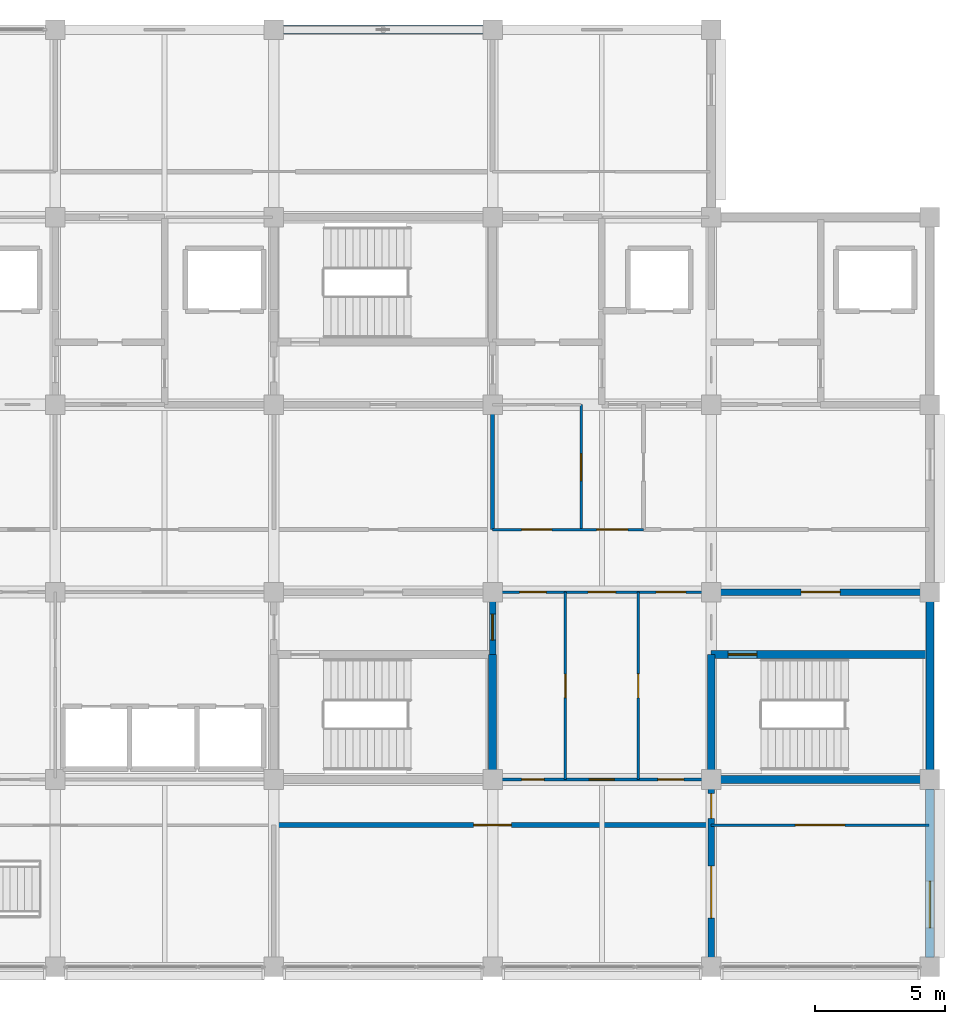
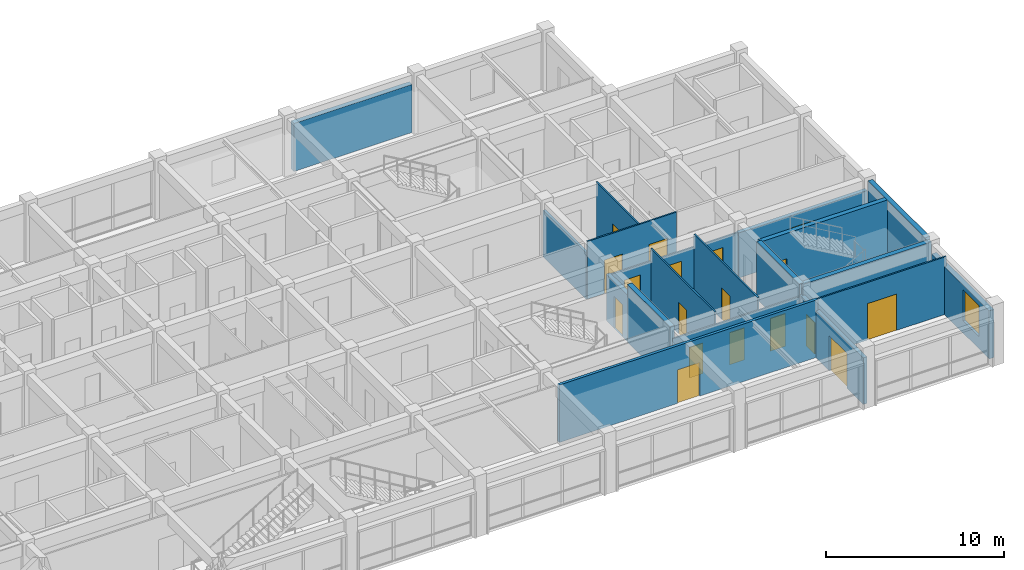
# One storey, part 21 of 27: 19 walls, 18 doors, 1 window, 19 openings.
"""IFC4 building model written with IfcOpenShell, lengths in metres."""

from ifc_helpers import new_model, si_unit, direction, frame, frame_2d, origin, place, context, subcontext, project, spatial, rectangle, extrude, material, layer, layer_set, type_object, element, fill, save


model = new_model("IFC4")

# Units and contexts
model_context = context("Model", 3, precision=1e-05, world=origin(), true_north=direction((0.0, 1.0)))
body_context = subcontext(model_context, "Body", "Model", "MODEL_VIEW")
ifc_project = project(units=[si_unit("LENGTHUNIT", "METRE"), si_unit("AREAUNIT", "SQUARE_METRE"), si_unit("VOLUMEUNIT", "CUBIC_METRE"), si_unit("PLANEANGLEUNIT", "RADIAN"), si_unit("MASSUNIT", "GRAM", prefix="KILO")], contexts=[model_context])

# Site, building, storey
site_placement = place(None, origin())
site = spatial("IfcSite", under=ifc_project, at=site_placement, CompositionType="ELEMENT")
building_placement = place(site_placement, origin())
building = spatial("IfcBuilding", under=site, at=building_placement, Name="Chengyuan Square Courthouse", CompositionType="ELEMENT")
storey_placement = place(building_placement, frame((0.0, 0.0, 39.300048828125)))
storey = spatial("IfcBuildingStorey", under=building, at=storey_placement, Name="L09", CompositionType="ELEMENT", Elevation=39.300048828125)

# Wall
ifc_material_1 = material(Name="Concrete C40", Category="concrete")
ifc_layer_1 = layer(ifc_material_1, 0.320068359375)
ifc_layer_set_1 = layer_set([ifc_layer_1], Name="Concrete C40")
wall_type_1 = type_object("IfcWallType", Name="WL-EW3", PredefinedType="STANDARD", material=ifc_layer_set_1)
wall_1_placement = place(storey_placement, frame((101.169921875, 115.199951171875, 0.0), z_axis=(0.0, 0.0, 1.0), x_axis=(1.0, 0.0, 0.0)))
element("IfcWall", 1, at=wall_1_placement, inside=storey, type_object=wall_type_1, Name="Exterior Wall WL-L09-E421", PredefinedType="STANDARD", context=body_context, shape_type="SweptSolid", body=[
    extrude(rectangle(XDim=7.66015625, YDim=0.320068359375, at=frame_2d((3.830078125, 0.0))), origin(), (0.0, 0.0, 1.0), 3.300048828125),
])

# Wall, opening, window
wall_2_placement = place(storey_placement, frame((126.0, 79.570068359375, 0.0), z_axis=(0.0, 0.0, 1.0), x_axis=(0.0, 1.0, 0.0)))
wall_2 = element("IfcWall", 2, at=wall_2_placement, inside=storey, type_object=wall_type_1, Name="Exterior Wall WL-L09-E424", PredefinedType="STANDARD", context=body_context, shape_type="SweptSolid", body=[
    extrude(rectangle(XDim=6.4599609375, YDim=0.320068359375, at=frame_2d((3.22998046875, 0.0))), origin(), (0.0, 0.0, 1.0), 3.300048828125),
])
opening_1_placement = place(wall_2_placement, frame((1.1298828125, 0.0, 0.85009765625)))
opening_1 = element("IfcOpeningElement", 3, at=opening_1_placement, cuts=wall_2, Name="Opening WN-167", PredefinedType="OPENING", context=body_context, shape_type="SweptSolid", body=[
    extrude(rectangle(XDim=1.800048828125, YDim=2.1201171875, at=frame_2d((0.89990234375, 1.06005859375))), frame((0.0, 0.172119140625, 0.0), z_axis=(0.0, -1.0, 0.0), x_axis=(1.0, 0.0, 0.0)), (0.0, 0.0, 1.0), 0.343994140625),
])
ifc_material_2 = material(Name="Thermally Broken Aluminium Triple Low-E Window", Category="aluminium")
window_type = type_object("IfcWindowType", Name="WT-36", PartitioningType="SINGLE_PANEL", PredefinedType="WINDOW", material=ifc_material_2)
window_placement = place(opening_1_placement, origin())
window = element("IfcWindow", 4, at=window_placement, inside=storey, type_object=window_type, Name="Facade Window WN-167", OverallHeight=2.1201171875, OverallWidth=1.800048828125, PartitioningType="SINGLE_PANEL", PredefinedType="WINDOW", context=body_context, shape_type="SweptSolid", body=[
    extrude(rectangle(XDim=1.800048828125, YDim=2.1201171875, at=frame_2d((0.89990234375, 1.06005859375))), frame((0.0, 0.030029296875, 0.0), z_axis=(0.0, -1.0, 0.0), x_axis=(1.0, 0.0, 0.0)), (0.0, 0.0, 1.0), 0.06005859375),
])
fill(opening_1, window)

# Wall, opening, door
ifc_layer_2 = layer(ifc_material_1, 0.25)
ifc_layer_set_2 = layer_set([ifc_layer_2], Name="Concrete C40")
wall_type_2 = type_object("IfcWallType", Name="WL-FW1", PredefinedType="STANDARD", material=ifc_layer_set_2)
wall_3_placement = place(storey_placement, frame((117.60009765625, 93.60009765625, 0.0), z_axis=(0.0, 0.0, 1.0), x_axis=(1.0, 0.0, 0.0)))
wall_3 = element("IfcWall", 5, at=wall_3_placement, inside=storey, type_object=wall_type_2, Name="Interior Wall WL-L09-I3118", PredefinedType="STANDARD", context=body_context, shape_type="SweptSolid", body=[
    extrude(rectangle(XDim=8.35986328125, YDim=0.25, at=frame_2d((4.179931640625, 0.0))), origin(), (0.0, 0.0, 1.0), 3.099853515625),
])
opening_2_placement = place(wall_3_placement, frame((3.449951171875, 0.0, 0.0)))
opening_2 = element("IfcOpeningElement", 6, at=opening_2_placement, cuts=wall_3, Name="Opening DR-2653", PredefinedType="OPENING", context=body_context, shape_type="SweptSolid", body=[
    extrude(rectangle(XDim=1.5, YDim=2.25, at=frame_2d((0.75, 1.125))), frame((0.0, 0.136962890625, 0.0), z_axis=(0.0, -1.0, 0.0), x_axis=(1.0, 0.0, 0.0)), (0.0, 0.0, 1.0), 0.27392578125),
])
ifc_material_3 = material(Name="Steel Q235B Glazed Fire Door", Category="steel")
door_type_1 = type_object("IfcDoorType", Name="DT-19", OperationType="DOUBLE_DOOR_SINGLE_SWING", PredefinedType="DOOR", material=ifc_material_3)
door_1_placement = place(opening_2_placement, frame((1.5, 0.0, 0.0), z_axis=(0.0, 0.0, 1.0), x_axis=(-1.0, 0.0, 0.0)))
door_1 = element("IfcDoor", 7, at=door_1_placement, inside=storey, type_object=door_type_1, Name="Interior Door DR-2653", OperationType="DOUBLE_DOOR_SINGLE_SWING", OverallHeight=2.25, OverallWidth=1.5, PredefinedType="DOOR", context=body_context, shape_type="SweptSolid", body=[
    extrude(rectangle(XDim=1.5, YDim=2.25, at=frame_2d((0.75, 1.125))), frame((0.0, 0.02490234375, 0.0), z_axis=(0.0, -1.0, 0.0), x_axis=(1.0, 0.0, 0.0)), (0.0, 0.0, 1.0), 0.050048828125),
])
fill(opening_2, door_1)

wall_4_placement = place(storey_placement, frame((109.199951171875, 91.199951171875, 0.0), z_axis=(0.0, 0.0, 1.0), x_axis=(0.0, 1.0, 0.0)))
wall_4 = element("IfcWall", 8, at=wall_4_placement, inside=storey, type_object=wall_type_2, Name="Interior Wall WL-L09-I3274", PredefinedType="STANDARD", context=body_context, shape_type="SweptSolid", body=[
    extrude(rectangle(XDim=2.400146484375, YDim=0.25, at=frame_2d((1.2001953125, 0.0))), origin(), (0.0, 0.0, 1.0), 3.199951171875),
])
opening_3_placement = place(wall_4_placement, frame((0.552490234375, 0.0, 0.0)))
opening_3 = element("IfcOpeningElement", 9, at=opening_3_placement, cuts=wall_4, Name="Opening DR-2650", PredefinedType="OPENING", context=body_context, shape_type="SweptSolid", body=[
    extrude(rectangle(XDim=1.0, YDim=2.199951171875, at=frame_2d((0.5, 1.10009765625))), frame((0.0, 0.136962890625, 0.0), z_axis=(0.0, -1.0, 0.0), x_axis=(1.0, 0.0, 0.0)), (0.0, 0.0, 1.0), 0.27392578125),
])
ifc_material_4 = material(Name="Steel Q235B Fire Door", Category="steel")
door_type_2 = type_object("IfcDoorType", Name="DT-11", OperationType="NOTDEFINED", PredefinedType="DOOR", material=ifc_material_4)
door_2_placement = place(opening_3_placement, origin())
door_2 = element("IfcDoor", 10, at=door_2_placement, inside=storey, type_object=door_type_2, Name="Interior Door DR-2650", OperationType="SINGLE_SWING_LEFT", OverallHeight=2.199951171875, OverallWidth=1.0, PredefinedType="DOOR", context=body_context, shape_type="SweptSolid", body=[
    extrude(rectangle(XDim=1.0, YDim=2.199951171875, at=frame_2d((0.5, 1.10009765625))), frame((0.0, 0.02490234375, 0.0), z_axis=(0.0, -1.0, 0.0), x_axis=(1.0, 0.0, 0.0)), (0.0, 0.0, 1.0), 0.050048828125),
])
fill(opening_3, door_2)

# Wall, openings, doors
wall_5_placement = place(storey_placement, frame((117.60009765625, 79.239990234375, 0.0), z_axis=(0.0, 0.0, 1.0), x_axis=(0.0, 1.0, 0.0)))
wall_5 = element("IfcWall", 11, at=wall_5_placement, inside=storey, type_object=wall_type_2, Name="Interior Wall WL-L09-I3287", PredefinedType="STANDARD", context=body_context, shape_type="SweptSolid", body=[
    extrude(rectangle(XDim=7.159912109375, YDim=0.25, at=frame_2d((3.580078125, 0.0))), origin(), (0.0, 0.0, 1.0), 3.199951171875),
])
opening_4_placement = place(wall_5_placement, frame((5.66259765625, 0.0, 0.0)))
opening_4 = element("IfcOpeningElement", 12, at=opening_4_placement, cuts=wall_5, Name="Opening DR-2765", PredefinedType="OPENING", context=body_context, shape_type="SweptSolid", body=[
    extrude(rectangle(XDim=0.949951171875, YDim=2.14990234375, at=frame_2d((0.47509765625, 1.074951171875))), frame((0.0, 0.136962890625, 0.0), z_axis=(0.0, -1.0, 0.0), x_axis=(1.0, 0.0, 0.0)), (0.0, 0.0, 1.0), 0.27392578125),
])
opening_5_placement = place(wall_5_placement, frame((1.83251953125, 0.0, 0.0)))
opening_5 = element("IfcOpeningElement", 13, at=opening_5_placement, cuts=wall_5, Name="Opening DR-2770", PredefinedType="OPENING", context=body_context, shape_type="SweptSolid", body=[
    extrude(rectangle(XDim=2.0, YDim=2.39990234375, at=frame_2d((1.0, 1.199951171875))), frame((0.0, 0.136962890625, 0.0), z_axis=(0.0, -1.0, 0.0), x_axis=(1.0, 0.0, 0.0)), (0.0, 0.0, 1.0), 0.27392578125),
])
door_type_3 = type_object("IfcDoorType", Name="DT-12", OperationType="NOTDEFINED", PredefinedType="DOOR", material=ifc_material_4)
door_3_placement = place(opening_4_placement, origin())
door_3 = element("IfcDoor", 14, at=door_3_placement, inside=storey, type_object=door_type_3, Name="Interior Door DR-2765", OperationType="SINGLE_SWING_RIGHT", OverallHeight=2.14990234375, OverallWidth=0.949951171875, PredefinedType="DOOR", context=body_context, shape_type="SweptSolid", body=[
    extrude(rectangle(XDim=0.949951171875, YDim=2.14990234375, at=frame_2d((0.47509765625, 1.074951171875))), frame((0.0, 0.02490234375, 0.0), z_axis=(0.0, -1.0, 0.0), x_axis=(1.0, 0.0, 0.0)), (0.0, 0.0, 1.0), 0.050048828125),
])
fill(opening_4, door_3)
door_type_4 = type_object("IfcDoorType", Name="DT-20", OperationType="DOUBLE_DOOR_SINGLE_SWING", PredefinedType="DOOR", material=ifc_material_3)
door_4_placement = place(opening_5_placement, frame((2.0, 0.0, 0.0), z_axis=(0.0, 0.0, 1.0), x_axis=(-1.0, 0.0, 0.0)))
door_4 = element("IfcDoor", 15, at=door_4_placement, inside=storey, type_object=door_type_4, Name="Interior Door DR-2770", OperationType="DOUBLE_DOOR_SINGLE_SWING", OverallHeight=2.39990234375, OverallWidth=2.0, PredefinedType="DOOR", context=body_context, shape_type="SweptSolid", body=[
    extrude(rectangle(XDim=2.0, YDim=2.39990234375, at=frame_2d((1.0, 1.199951171875))), frame((0.0, 0.02490234375, 0.0), z_axis=(0.0, -1.0, 0.0), x_axis=(1.0, 0.0, 0.0)), (0.0, 0.0, 1.0), 0.050048828125),
])
fill(opening_5, door_4)

# Wall, opening, door
ifc_material_5 = material(Name="Double-Stud Acoustic Gypsum Courtroom Partition")
ifc_layer_3 = layer(ifc_material_5, 0.179931640625)
ifc_layer_set_3 = layer_set([ifc_layer_3], Name="Double-Stud Acoustic Gypsum Courtroom Partition")
wall_type_3 = type_object("IfcWallType", Name="WL-PT1", PredefinedType="STANDARD", material=ifc_layer_set_3)
wall_6_placement = place(storey_placement, frame((100.800048828125, 84.64990234375, 0.0), z_axis=(0.0, 0.0, 1.0), x_axis=(1.0, 0.0, 0.0)))
wall_6 = element("IfcWall", 16, at=wall_6_placement, inside=storey, type_object=wall_type_3, Name="Interior Wall WL-L09-I3087", PredefinedType="STANDARD", context=body_context, shape_type="SweptSolid", body=[
    extrude(rectangle(XDim=16.800048828125, YDim=0.179931640625, at=frame_2d((8.39990234375, 0.0))), origin(), (0.0, 0.0, 1.0), 3.949951171875),
])
opening_6_placement = place(wall_6_placement, frame((7.675048828125, 0.0, 0.0)))
opening_6 = element("IfcOpeningElement", 17, at=opening_6_placement, cuts=wall_6, Name="Opening DR-2767", PredefinedType="OPENING", context=body_context, shape_type="SweptSolid", body=[
    extrude(rectangle(XDim=1.449951171875, YDim=2.300048828125, at=frame_2d((0.72509765625, 1.14990234375))), frame((0.0, 0.10205078125, 0.0), z_axis=(0.0, -1.0, 0.0), x_axis=(1.0, 0.0, 0.0)), (0.0, 0.0, 1.0), 0.203857421875),
])
ifc_material_6 = material(Name="Acoustic Larch Veneer Double Door")
door_type_5 = type_object("IfcDoorType", Name="DT-25", OperationType="DOUBLE_DOOR_SINGLE_SWING", PredefinedType="DOOR", material=ifc_material_6)
door_5_placement = place(opening_6_placement, frame((1.449951171875, 0.0, 0.0), z_axis=(0.0, 0.0, 1.0), x_axis=(-1.0, 0.0, 0.0)))
door_5 = element("IfcDoor", 18, at=door_5_placement, inside=storey, type_object=door_type_5, Name="Interior Door DR-2767", OperationType="DOUBLE_DOOR_SINGLE_SWING", OverallHeight=2.300048828125, OverallWidth=1.449951171875, PredefinedType="DOOR", context=body_context, shape_type="SweptSolid", body=[
    extrude(rectangle(XDim=1.449951171875, YDim=2.300048828125, at=frame_2d((0.72509765625, 1.14990234375))), frame((0.0, 0.02490234375, 0.0), z_axis=(0.0, -1.0, 0.0), x_axis=(1.0, 0.0, 0.0)), (0.0, 0.0, 1.0), 0.050048828125),
])
fill(opening_6, door_5)

# Wall
ifc_material_7 = material(Name="Deliberation Room Sound-Insulated Partition")
ifc_layer_4 = layer(ifc_material_7, 0.14990234375)
ifc_layer_set_4 = layer_set([ifc_layer_4], Name="Deliberation Room Sound-Insulated Partition")
wall_type_4 = type_object("IfcWallType", Name="WL-PT3", PredefinedType="STANDARD", material=ifc_layer_set_4)
wall_7_placement = place(storey_placement, frame((109.199951171875, 96.0, 0.0), z_axis=(0.0, 0.0, 1.0), x_axis=(0.0, 1.0, 0.0)))
element("IfcWall", 19, at=wall_7_placement, inside=storey, type_object=wall_type_4, Name="Interior Wall WL-L09-I3275", PredefinedType="STANDARD", context=body_context, shape_type="SweptSolid", body=[
    extrude(rectangle(XDim=4.800048828125, YDim=0.14990234375, at=frame_2d((2.39990234375, 0.0))), origin(), (0.0, 0.0, 1.0), 3.199951171875),
])

# Wall, opening, door
ifc_material_8 = material(Name="Gypsum Plasterboard Acoustic Stud Partition")
ifc_layer_5 = layer(ifc_material_8, 0.10009765625)
ifc_layer_set_5 = layer_set([ifc_layer_5], Name="Gypsum Plasterboard Acoustic Stud Partition")
wall_type_5 = type_object("IfcWallType", Name="WL-PT6", PredefinedType="STANDARD", material=ifc_layer_set_5)
wall_8_placement = place(storey_placement, frame((117.60009765625, 84.64990234375, 0.0), z_axis=(0.0, 0.0, 1.0), x_axis=(1.0, 0.0, 0.0)))
wall_8 = element("IfcWall", 20, at=wall_8_placement, inside=storey, type_object=wall_type_5, Name="Interior Wall WL-L09-I3088", PredefinedType="STANDARD", context=body_context, shape_type="SweptSolid", body=[
    extrude(rectangle(XDim=8.35986328125, YDim=0.10009765625, at=frame_2d((4.179931640625, 0.0))), origin(), (0.0, 0.0, 1.0), 3.949951171875),
])
opening_7_placement = place(wall_8_placement, frame((3.22998046875, 0.0, 0.0)))
opening_7 = element("IfcOpeningElement", 21, at=opening_7_placement, cuts=wall_8, Name="Opening DR-2768", PredefinedType="OPENING", context=body_context, shape_type="SweptSolid", body=[
    extrude(rectangle(XDim=1.89990234375, YDim=2.5, at=frame_2d((0.949951171875, 1.25))), frame((0.0, 0.06201171875, 0.0), z_axis=(0.0, -1.0, 0.0), x_axis=(1.0, 0.0, 0.0)), (0.0, 0.0, 1.0), 0.1240234375),
])
door_type_6 = type_object("IfcDoorType", Name="DT-26", OperationType="DOUBLE_DOOR_SINGLE_SWING", PredefinedType="DOOR", material=ifc_material_6)
door_6_placement = place(opening_7_placement, frame((1.89990234375, 0.0, 0.0), z_axis=(0.0, 0.0, 1.0), x_axis=(-1.0, 0.0, 0.0)))
door_6 = element("IfcDoor", 22, at=door_6_placement, inside=storey, type_object=door_type_6, Name="Interior Door DR-2768", OperationType="DOUBLE_DOOR_SINGLE_SWING", OverallHeight=2.5, OverallWidth=1.89990234375, PredefinedType="DOOR", context=body_context, shape_type="SweptSolid", body=[
    extrude(rectangle(XDim=1.89990234375, YDim=2.5, at=frame_2d((0.949951171875, 1.25))), frame((0.0, 0.02490234375, 0.0), z_axis=(0.0, -1.0, 0.0), x_axis=(1.0, 0.0, 0.0)), (0.0, 0.0, 1.0), 0.050048828125),
])
fill(opening_7, door_6)

# Wall, openings, doors
wall_9_placement = place(storey_placement, frame((109.199951171875, 86.39990234375, 0.0), z_axis=(0.0, 0.0, 1.0), x_axis=(1.0, 0.0, 0.0)))
wall_9 = element("IfcWall", 23, at=wall_9_placement, inside=storey, type_object=wall_type_5, Name="Interior Wall WL-L09-I3097", PredefinedType="STANDARD", context=body_context, shape_type="SweptSolid", body=[
    extrude(rectangle(XDim=8.400146484375, YDim=0.10009765625, at=frame_2d((4.2001953125, 0.0))), origin(), (0.0, 0.0, 1.0), 3.099853515625),
])
opening_8_placement = place(wall_9_placement, frame((1.117431640625, 0.0, 0.0)))
opening_8 = element("IfcOpeningElement", 24, at=opening_8_placement, cuts=wall_9, Name="Opening DR-2746", PredefinedType="OPENING", context=body_context, shape_type="SweptSolid", body=[
    extrude(rectangle(XDim=0.860107421875, YDim=2.10009765625, at=frame_2d((0.43017578125, 1.050048828125))), frame((0.0, 0.06201171875, 0.0), z_axis=(0.0, -1.0, 0.0), x_axis=(1.0, 0.0, 0.0)), (0.0, 0.0, 1.0), 0.1240234375),
])
opening_9_placement = place(wall_9_placement, frame((3.719970703125, 0.0, 0.0)))
opening_9 = element("IfcOpeningElement", 25, at=opening_9_placement, cuts=wall_9, Name="Opening DR-2748", PredefinedType="OPENING", context=body_context, shape_type="SweptSolid", body=[
    extrude(rectangle(XDim=0.9599609375, YDim=2.199951171875, at=frame_2d((0.47998046875, 1.10009765625))), frame((0.0, 0.06201171875, 0.0), z_axis=(0.0, -1.0, 0.0), x_axis=(1.0, 0.0, 0.0)), (0.0, 0.0, 1.0), 0.1240234375),
])
opening_10_placement = place(wall_9_placement, frame((6.3525390625, 0.0, 0.0)))
opening_10 = element("IfcOpeningElement", 26, at=opening_10_placement, cuts=wall_9, Name="Opening DR-2749", PredefinedType="OPENING", context=body_context, shape_type="SweptSolid", body=[
    extrude(rectangle(XDim=1.0, YDim=2.25, at=frame_2d((0.5, 1.125))), frame((0.0, 0.06201171875, 0.0), z_axis=(0.0, -1.0, 0.0), x_axis=(1.0, 0.0, 0.0)), (0.0, 0.0, 1.0), 0.1240234375),
])
ifc_material_9 = material(Name="Acoustic Solid-Core Timber Door", Category="wood")
door_type_7 = type_object("IfcDoorType", Name="DT-28", OperationType="NOTDEFINED", PredefinedType="DOOR", material=ifc_material_9)
door_7_placement = place(opening_8_placement, origin())
door_7 = element("IfcDoor", 27, at=door_7_placement, inside=storey, type_object=door_type_7, Name="Interior Door DR-2746", OperationType="SINGLE_SWING_LEFT", OverallHeight=2.10009765625, OverallWidth=0.860107421875, PredefinedType="DOOR", context=body_context, shape_type="SweptSolid", body=[
    extrude(rectangle(XDim=0.860107421875, YDim=2.10009765625, at=frame_2d((0.43017578125, 1.050048828125))), frame((0.0, 0.02490234375, 0.0), z_axis=(0.0, -1.0, 0.0), x_axis=(1.0, 0.0, 0.0)), (0.0, 0.0, 1.0), 0.050048828125),
])
fill(opening_8, door_7)
door_type_8 = type_object("IfcDoorType", Name="DT-30", OperationType="NOTDEFINED", PredefinedType="DOOR", material=ifc_material_9)
door_8_placement = place(opening_9_placement, origin())
door_8 = element("IfcDoor", 28, at=door_8_placement, inside=storey, type_object=door_type_8, Name="Interior Door DR-2748", OperationType="SINGLE_SWING_LEFT", OverallHeight=2.199951171875, OverallWidth=0.9599609375, PredefinedType="DOOR", context=body_context, shape_type="SweptSolid", body=[
    extrude(rectangle(XDim=0.9599609375, YDim=2.199951171875, at=frame_2d((0.47998046875, 1.10009765625))), frame((0.0, 0.02490234375, 0.0), z_axis=(0.0, -1.0, 0.0), x_axis=(1.0, 0.0, 0.0)), (0.0, 0.0, 1.0), 0.050048828125),
])
fill(opening_9, door_8)
door_type_9 = type_object("IfcDoorType", Name="DT-31", OperationType="NOTDEFINED", PredefinedType="DOOR", material=ifc_material_9)
door_9_placement = place(opening_10_placement, origin())
door_9 = element("IfcDoor", 29, at=door_9_placement, inside=storey, type_object=door_type_9, Name="Interior Door DR-2749", OperationType="SINGLE_SWING_RIGHT", OverallHeight=2.25, OverallWidth=1.0, PredefinedType="DOOR", context=body_context, shape_type="SweptSolid", body=[
    extrude(rectangle(XDim=1.0, YDim=2.25, at=frame_2d((0.5, 1.125))), frame((0.0, 0.02490234375, 0.0), z_axis=(0.0, -1.0, 0.0), x_axis=(1.0, 0.0, 0.0)), (0.0, 0.0, 1.0), 0.050048828125),
])
fill(opening_10, door_9)

wall_10_placement = place(storey_placement, frame((109.199951171875, 93.60009765625, 0.0), z_axis=(0.0, 0.0, 1.0), x_axis=(1.0, 0.0, 0.0)))
wall_10 = element("IfcWall", 30, at=wall_10_placement, inside=storey, type_object=wall_type_5, Name="Interior Wall WL-L09-I3117", PredefinedType="STANDARD", context=body_context, shape_type="SweptSolid", body=[
    extrude(rectangle(XDim=8.400146484375, YDim=0.10009765625, at=frame_2d((4.2001953125, 0.0))), origin(), (0.0, 0.0, 1.0), 3.099853515625),
])
opening_11_placement = place(wall_10_placement, frame((1.03759765625, 0.0, 0.0)))
opening_11 = element("IfcOpeningElement", 31, at=opening_11_placement, cuts=wall_10, Name="Opening DR-2725", PredefinedType="OPENING", context=body_context, shape_type="SweptSolid", body=[
    extrude(rectangle(XDim=1.02001953125, YDim=2.39990234375, at=frame_2d((0.510009765625, 1.199951171875))), frame((0.0, 0.06201171875, 0.0), z_axis=(0.0, -1.0, 0.0), x_axis=(1.0, 0.0, 0.0)), (0.0, 0.0, 1.0), 0.1240234375),
])
opening_12_placement = place(wall_10_placement, frame((3.669921875, 0.0, 0.0)))
opening_12 = element("IfcOpeningElement", 32, at=opening_12_placement, cuts=wall_10, Name="Opening DR-2726", PredefinedType="OPENING", context=body_context, shape_type="SweptSolid", body=[
    extrude(rectangle(XDim=1.06005859375, YDim=2.39990234375, at=frame_2d((0.530029296875, 1.199951171875))), frame((0.0, 0.06201171875, 0.0), z_axis=(0.0, -1.0, 0.0), x_axis=(1.0, 0.0, 0.0)), (0.0, 0.0, 1.0), 0.1240234375),
])
opening_13_placement = place(wall_10_placement, frame((6.282470703125, 0.0, 0.0)))
opening_13 = element("IfcOpeningElement", 33, at=opening_13_placement, cuts=wall_10, Name="Opening DR-2727", PredefinedType="OPENING", context=body_context, shape_type="SweptSolid", body=[
    extrude(rectangle(XDim=1.139892578125, YDim=2.39990234375, at=frame_2d((0.56982421875, 1.199951171875))), frame((0.0, 0.06201171875, 0.0), z_axis=(0.0, -1.0, 0.0), x_axis=(1.0, 0.0, 0.0)), (0.0, 0.0, 1.0), 0.1240234375),
])
door_type_10 = type_object("IfcDoorType", Name="DT-41", OperationType="NOTDEFINED", PredefinedType="DOOR", material=ifc_material_9)
door_10_placement = place(opening_11_placement, origin())
door_10 = element("IfcDoor", 34, at=door_10_placement, inside=storey, type_object=door_type_10, Name="Interior Door DR-2725", OperationType="SINGLE_SWING_RIGHT", OverallHeight=2.39990234375, OverallWidth=1.02001953125, PredefinedType="DOOR", context=body_context, shape_type="SweptSolid", body=[
    extrude(rectangle(XDim=1.02001953125, YDim=2.39990234375, at=frame_2d((0.510009765625, 1.199951171875))), frame((0.0, 0.02490234375, 0.0), z_axis=(0.0, -1.0, 0.0), x_axis=(1.0, 0.0, 0.0)), (0.0, 0.0, 1.0), 0.050048828125),
])
fill(opening_11, door_10)
door_type_11 = type_object("IfcDoorType", Name="DT-42", OperationType="NOTDEFINED", PredefinedType="DOOR", material=ifc_material_9)
door_11_placement = place(opening_12_placement, origin())
door_11 = element("IfcDoor", 35, at=door_11_placement, inside=storey, type_object=door_type_11, Name="Interior Door DR-2726", OperationType="SINGLE_SWING_LEFT", OverallHeight=2.39990234375, OverallWidth=1.06005859375, PredefinedType="DOOR", context=body_context, shape_type="SweptSolid", body=[
    extrude(rectangle(XDim=1.06005859375, YDim=2.39990234375, at=frame_2d((0.530029296875, 1.199951171875))), frame((0.0, 0.02490234375, 0.0), z_axis=(0.0, -1.0, 0.0), x_axis=(1.0, 0.0, 0.0)), (0.0, 0.0, 1.0), 0.050048828125),
])
fill(opening_12, door_11)
door_type_12 = type_object("IfcDoorType", Name="DT-43", OperationType="NOTDEFINED", PredefinedType="DOOR", material=ifc_material_9)
door_12_placement = place(opening_13_placement, origin())
door_12 = element("IfcDoor", 36, at=door_12_placement, inside=storey, type_object=door_type_12, Name="Interior Door DR-2727", OperationType="SINGLE_SWING_RIGHT", OverallHeight=2.39990234375, OverallWidth=1.139892578125, PredefinedType="DOOR", context=body_context, shape_type="SweptSolid", body=[
    extrude(rectangle(XDim=1.139892578125, YDim=2.39990234375, at=frame_2d((0.56982421875, 1.199951171875))), frame((0.0, 0.02490234375, 0.0), z_axis=(0.0, -1.0, 0.0), x_axis=(1.0, 0.0, 0.0)), (0.0, 0.0, 1.0), 0.050048828125),
])
fill(opening_13, door_12)

wall_11_placement = place(storey_placement, frame((109.199951171875, 96.0, 0.0), z_axis=(0.0, 0.0, 1.0), x_axis=(1.0, 0.0, 0.0)))
wall_11 = element("IfcWall", 37, at=wall_11_placement, inside=storey, type_object=wall_type_5, Name="Interior Wall WL-L09-I3124", PredefinedType="STANDARD", context=body_context, shape_type="SweptSolid", body=[
    extrude(rectangle(XDim=5.800048828125, YDim=0.10009765625, at=frame_2d((2.89990234375, 0.0))), origin(), (0.0, 0.0, 1.0), 3.949951171875),
])
opening_14_placement = place(wall_11_placement, frame((1.1201171875, 0.0, 0.0)))
opening_14 = element("IfcOpeningElement", 38, at=opening_14_placement, cuts=wall_11, Name="Opening DR-2719", PredefinedType="OPENING", context=body_context, shape_type="SweptSolid", body=[
    extrude(rectangle(XDim=1.159912109375, YDim=2.300048828125, at=frame_2d((0.580078125, 1.14990234375))), frame((0.0, 0.06201171875, 0.0), z_axis=(0.0, -1.0, 0.0), x_axis=(1.0, 0.0, 0.0)), (0.0, 0.0, 1.0), 0.1240234375),
])
opening_15_placement = place(wall_11_placement, frame((4.0, 0.0, 0.0)))
opening_15 = element("IfcOpeningElement", 39, at=opening_15_placement, cuts=wall_11, Name="Opening DR-2720", PredefinedType="OPENING", context=body_context, shape_type="SweptSolid", body=[
    extrude(rectangle(XDim=1.199951171875, YDim=2.35009765625, at=frame_2d((0.60009765625, 1.175048828125))), frame((0.0, 0.06201171875, 0.0), z_axis=(0.0, -1.0, 0.0), x_axis=(1.0, 0.0, 0.0)), (0.0, 0.0, 1.0), 0.1240234375),
])
door_type_13 = type_object("IfcDoorType", Name="DT-35", OperationType="NOTDEFINED", PredefinedType="DOOR", material=ifc_material_9)
door_13_placement = place(opening_14_placement, origin())
door_13 = element("IfcDoor", 40, at=door_13_placement, inside=storey, type_object=door_type_13, Name="Interior Door DR-2719", OperationType="SINGLE_SWING_RIGHT", OverallHeight=2.300048828125, OverallWidth=1.159912109375, PredefinedType="DOOR", context=body_context, shape_type="SweptSolid", body=[
    extrude(rectangle(XDim=1.159912109375, YDim=2.300048828125, at=frame_2d((0.580078125, 1.14990234375))), frame((0.0, 0.02490234375, 0.0), z_axis=(0.0, -1.0, 0.0), x_axis=(1.0, 0.0, 0.0)), (0.0, 0.0, 1.0), 0.050048828125),
])
fill(opening_14, door_13)
door_type_14 = type_object("IfcDoorType", Name="DT-36", OperationType="NOTDEFINED", PredefinedType="DOOR", material=ifc_material_9)
door_14_placement = place(opening_15_placement, origin())
door_14 = element("IfcDoor", 41, at=door_14_placement, inside=storey, type_object=door_type_14, Name="Interior Door DR-2720", OperationType="SINGLE_SWING_LEFT", OverallHeight=2.35009765625, OverallWidth=1.199951171875, PredefinedType="DOOR", context=body_context, shape_type="SweptSolid", body=[
    extrude(rectangle(XDim=1.199951171875, YDim=2.35009765625, at=frame_2d((0.60009765625, 1.175048828125))), frame((0.0, 0.02490234375, 0.0), z_axis=(0.0, -1.0, 0.0), x_axis=(1.0, 0.0, 0.0)), (0.0, 0.0, 1.0), 0.050048828125),
])
fill(opening_15, door_14)

# Wall, opening, door
wall_12_placement = place(storey_placement, frame((112.0, 86.39990234375, 0.0), z_axis=(0.0, 0.0, 1.0), x_axis=(0.0, 1.0, 0.0)))
wall_12 = element("IfcWall", 42, at=wall_12_placement, inside=storey, type_object=wall_type_5, Name="Interior Wall WL-L09-I3279", PredefinedType="STANDARD", context=body_context, shape_type="SweptSolid", body=[
    extrude(rectangle(XDim=7.2001953125, YDim=0.10009765625, at=frame_2d((3.60009765625, 0.0))), origin(), (0.0, 0.0, 1.0), 3.949951171875),
])
opening_16_placement = place(wall_12_placement, frame((3.14990234375, 0.0, 0.0)))
opening_16 = element("IfcOpeningElement", 43, at=opening_16_placement, cuts=wall_12, Name="Opening DR-2745", PredefinedType="OPENING", context=body_context, shape_type="SweptSolid", body=[
    extrude(rectangle(XDim=0.89990234375, YDim=2.14990234375, at=frame_2d((0.449951171875, 1.074951171875))), frame((0.0, 0.06201171875, 0.0), z_axis=(0.0, -1.0, 0.0), x_axis=(1.0, 0.0, 0.0)), (0.0, 0.0, 1.0), 0.1240234375),
])
door_type_15 = type_object("IfcDoorType", Name="DT-27", OperationType="NOTDEFINED", PredefinedType="DOOR", material=ifc_material_9)
door_15_placement = place(opening_16_placement, origin())
door_15 = element("IfcDoor", 44, at=door_15_placement, inside=storey, type_object=door_type_15, Name="Interior Door DR-2745", OperationType="SINGLE_SWING_RIGHT", OverallHeight=2.14990234375, OverallWidth=0.89990234375, PredefinedType="DOOR", context=body_context, shape_type="SweptSolid", body=[
    extrude(rectangle(XDim=0.89990234375, YDim=2.14990234375, at=frame_2d((0.449951171875, 1.074951171875))), frame((0.0, 0.02490234375, 0.0), z_axis=(0.0, -1.0, 0.0), x_axis=(1.0, 0.0, 0.0)), (0.0, 0.0, 1.0), 0.050048828125),
])
fill(opening_16, door_15)

wall_13_placement = place(storey_placement, frame((112.60009765625, 96.0, 0.0), z_axis=(0.0, 0.0, 1.0), x_axis=(0.0, 1.0, 0.0)))
wall_13 = element("IfcWall", 45, at=wall_13_placement, inside=storey, type_object=wall_type_5, Name="Interior Wall WL-L09-I3280", PredefinedType="STANDARD", context=body_context, shape_type="SweptSolid", body=[
    extrude(rectangle(XDim=4.800048828125, YDim=0.10009765625, at=frame_2d((2.39990234375, 0.0))), origin(), (0.0, 0.0, 1.0), 3.949951171875),
])
opening_17_placement = place(wall_13_placement, frame((1.8798828125, 0.0, 0.0)))
opening_17 = element("IfcOpeningElement", 46, at=opening_17_placement, cuts=wall_13, Name="Opening DR-2733", PredefinedType="OPENING", context=body_context, shape_type="SweptSolid", body=[
    extrude(rectangle(XDim=1.0400390625, YDim=2.199951171875, at=frame_2d((0.52001953125, 1.10009765625))), frame((0.0, 0.06201171875, 0.0), z_axis=(0.0, -1.0, 0.0), x_axis=(1.0, 0.0, 0.0)), (0.0, 0.0, 1.0), 0.1240234375),
])
door_type_16 = type_object("IfcDoorType", Name="DT-32", OperationType="NOTDEFINED", PredefinedType="DOOR", material=ifc_material_9)
door_16_placement = place(opening_17_placement, origin())
door_16 = element("IfcDoor", 47, at=door_16_placement, inside=storey, type_object=door_type_16, Name="Interior Door DR-2733", OperationType="SINGLE_SWING_RIGHT", OverallHeight=2.199951171875, OverallWidth=1.0400390625, PredefinedType="DOOR", context=body_context, shape_type="SweptSolid", body=[
    extrude(rectangle(XDim=1.0400390625, YDim=2.199951171875, at=frame_2d((0.52001953125, 1.10009765625))), frame((0.0, 0.02490234375, 0.0), z_axis=(0.0, -1.0, 0.0), x_axis=(1.0, 0.0, 0.0)), (0.0, 0.0, 1.0), 0.050048828125),
])
fill(opening_17, door_16)

wall_14_placement = place(storey_placement, frame((114.800048828125, 86.39990234375, 0.0), z_axis=(0.0, 0.0, 1.0), x_axis=(0.0, 1.0, 0.0)))
wall_14 = element("IfcWall", 48, at=wall_14_placement, inside=storey, type_object=wall_type_5, Name="Interior Wall WL-L09-I3284", PredefinedType="STANDARD", context=body_context, shape_type="SweptSolid", body=[
    extrude(rectangle(XDim=7.2001953125, YDim=0.10009765625, at=frame_2d((3.60009765625, 0.0))), origin(), (0.0, 0.0, 1.0), 3.949951171875),
])
opening_18_placement = place(wall_14_placement, frame((3.139892578125, 0.0, 0.0)))
opening_18 = element("IfcOpeningElement", 49, at=opening_18_placement, cuts=wall_14, Name="Opening DR-2747", PredefinedType="OPENING", context=body_context, shape_type="SweptSolid", body=[
    extrude(rectangle(XDim=0.919921875, YDim=2.14990234375, at=frame_2d((0.4599609375, 1.074951171875))), frame((0.0, 0.06201171875, 0.0), z_axis=(0.0, -1.0, 0.0), x_axis=(1.0, 0.0, 0.0)), (0.0, 0.0, 1.0), 0.1240234375),
])
door_type_17 = type_object("IfcDoorType", Name="DT-29", OperationType="NOTDEFINED", PredefinedType="DOOR", material=ifc_material_9)
door_17_placement = place(opening_18_placement, origin())
door_17 = element("IfcDoor", 50, at=door_17_placement, inside=storey, type_object=door_type_17, Name="Interior Door DR-2747", OperationType="SINGLE_SWING_RIGHT", OverallHeight=2.14990234375, OverallWidth=0.919921875, PredefinedType="DOOR", context=body_context, shape_type="SweptSolid", body=[
    extrude(rectangle(XDim=0.919921875, YDim=2.14990234375, at=frame_2d((0.4599609375, 1.074951171875))), frame((0.0, 0.02490234375, 0.0), z_axis=(0.0, -1.0, 0.0), x_axis=(1.0, 0.0, 0.0)), (0.0, 0.0, 1.0), 0.050048828125),
])
fill(opening_18, door_17)

# Walls
ifc_layer_6 = layer(ifc_material_1, 0.300048828125)
ifc_layer_set_6 = layer_set([ifc_layer_6], Name="Concrete C40")
wall_type_6 = type_object("IfcWallType", Name="WL-SW2", PredefinedType="SHEAR", material=ifc_layer_set_6)
wall_15_placement = place(storey_placement, frame((126.0, 86.77001953125, 0.0), z_axis=(0.0, 0.0, 1.0), x_axis=(0.0, 1.0, 0.0)))
element("IfcWall", 51, at=wall_15_placement, inside=storey, type_object=wall_type_6, Name="Exterior Wall WL-L09-E425", PredefinedType="SHEAR", context=body_context, shape_type="SweptSolid", body=[
    extrude(rectangle(XDim=6.4599609375, YDim=0.300048828125, at=frame_2d((3.22998046875, 0.0))), origin(), (0.0, 0.0, 1.0), 3.949951171875),
])
wall_16_placement = place(storey_placement, frame((117.60009765625, 86.39990234375, 0.0), z_axis=(0.0, 0.0, 1.0), x_axis=(1.0, 0.0, 0.0)))
element("IfcWall", 52, at=wall_16_placement, inside=storey, type_object=wall_type_6, Name="Interior Wall WL-L09-I3098", PredefinedType="SHEAR", context=body_context, shape_type="SweptSolid", body=[
    extrude(rectangle(XDim=8.35986328125, YDim=0.300048828125, at=frame_2d((4.179931640625, 0.0))), origin(), (0.0, 0.0, 1.0), 3.949951171875),
])

# Wall, opening, door
wall_17_placement = place(storey_placement, frame((117.60009765625, 91.199951171875, 0.0), z_axis=(0.0, 0.0, 1.0), x_axis=(1.0, 0.0, 0.0)))
wall_17 = element("IfcWall", 53, at=wall_17_placement, inside=storey, type_object=wall_type_6, Name="Interior Wall WL-L09-I3111", PredefinedType="SHEAR", context=body_context, shape_type="SweptSolid", body=[
    extrude(rectangle(XDim=8.35986328125, YDim=0.300048828125, at=frame_2d((4.179931640625, 0.0))), origin(), (0.0, 0.0, 1.0), 3.949951171875),
])
opening_19_placement = place(wall_17_placement, frame((0.64990234375, 0.0, 0.0)))
opening_19 = element("IfcOpeningElement", 54, at=opening_19_placement, cuts=wall_17, Name="Opening DR-2638", PredefinedType="OPENING", context=body_context, shape_type="SweptSolid", body=[
    extrude(rectangle(XDim=1.10009765625, YDim=2.199951171875, at=frame_2d((0.550048828125, 1.10009765625))), frame((0.0, 0.162109375, 0.0), z_axis=(0.0, -1.0, 0.0), x_axis=(1.0, 0.0, 0.0)), (0.0, 0.0, 1.0), 0.323974609375),
])
door_type_18 = type_object("IfcDoorType", Name="DT-10", OperationType="NOTDEFINED", PredefinedType="DOOR", material=ifc_material_4)
door_18_placement = place(opening_19_placement, frame((1.10009765625, 0.0, 0.0), z_axis=(0.0, 0.0, 1.0), x_axis=(-1.0, 0.0, 0.0)))
door_18 = element("IfcDoor", 55, at=door_18_placement, inside=storey, type_object=door_type_18, Name="Smoke-Proof Stairwell Fire Door ST-6 DR-2638", OperationType="SINGLE_SWING_LEFT", OverallHeight=2.199951171875, OverallWidth=1.10009765625, PredefinedType="DOOR", context=body_context, shape_type="SweptSolid", body=[
    extrude(rectangle(XDim=1.10009765625, YDim=2.199951171875, at=frame_2d((0.550048828125, 1.10009765625))), frame((0.0, 0.02490234375, 0.0), z_axis=(0.0, -1.0, 0.0), x_axis=(1.0, 0.0, 0.0)), (0.0, 0.0, 1.0), 0.050048828125),
])
fill(opening_19, door_18)

# Walls
for number, where, z_axis, x_axis, name in (
    (56, (109.199951171875, 86.39990234375, 0.0), (0.0, 0.0, 1.0), (0.0, 1.0, 0.0), "Interior Wall WL-L09-I3273"),
    (57, (117.60009765625, 86.39990234375, 0.0), (0.0, 0.0, 1.0), (0.0, 1.0, 0.0), "Interior Wall WL-L09-I3288"),
):
    element("IfcWall", number, at=place(storey_placement, frame(where, z_axis=z_axis, x_axis=x_axis)), inside=storey, type_object=wall_type_6, Name=name, PredefinedType="SHEAR", context=body_context, shape_type="SweptSolid", body=[
        extrude(rectangle(XDim=4.800048828125, YDim=0.300048828125, at=frame_2d((2.39990234375, 0.0))), origin(), (0.0, 0.0, 1.0), 3.949951171875),
    ])

save(model, "model.ifc")
